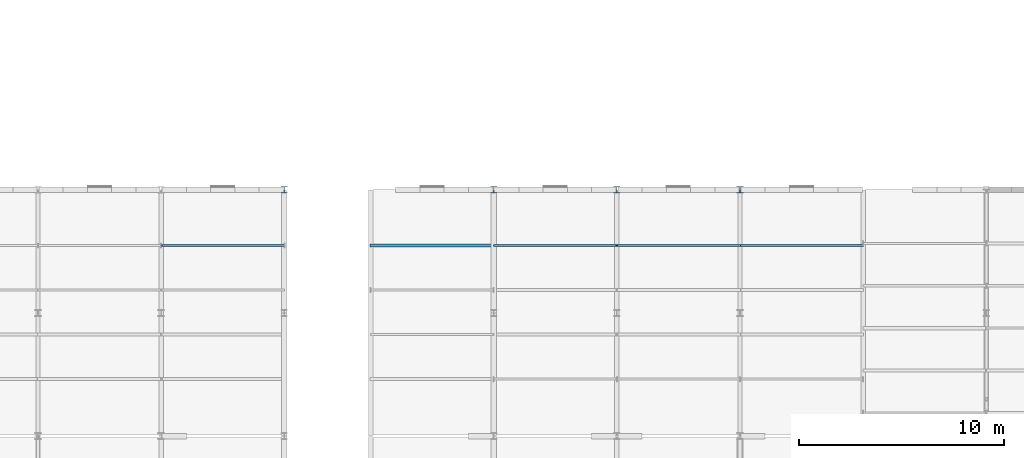
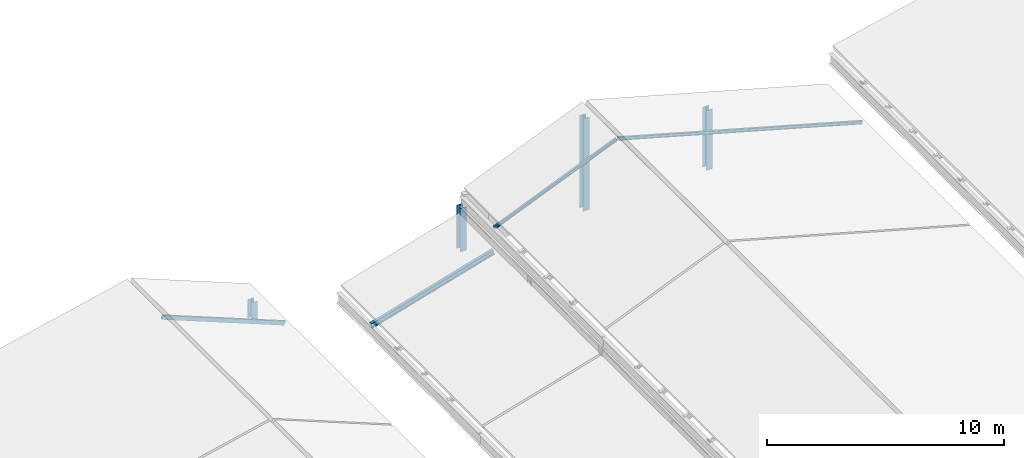
# One storey, part 8 of 74: 9 members.
"""IFC4 building model written with IfcOpenShell, lengths in metres."""

from ifc_helpers import new_model, si_unit, direction, frame, origin, origin_2d, place, context, subcontext, project, spatial, hollow_rectangle, i_section, extrude, material, material_profile, profile_set, type_object, element, save


model = new_model("IFC4")

# Units and contexts
model_context = context("Model", 3, precision=1e-05, world=origin(), true_north=direction((0.0, 1.0)))
body_context = subcontext(model_context, "Body", "Model", "MODEL_VIEW")
ifc_project = project(units=[si_unit("LENGTHUNIT", "METRE"), si_unit("AREAUNIT", "SQUARE_METRE"), si_unit("VOLUMEUNIT", "CUBIC_METRE"), si_unit("PLANEANGLEUNIT", "RADIAN"), si_unit("MASSUNIT", "GRAM", prefix="KILO")], contexts=[model_context])

# Site, building, storey
site_placement = place(None, origin())
site = spatial("IfcSite", under=ifc_project, at=site_placement, CompositionType="ELEMENT")
building_placement = place(site_placement, origin())
building = spatial("IfcBuilding", under=site, at=building_placement, Name="Siltcreek Boulevard Central Fire Station", CompositionType="ELEMENT")
storey_placement = place(building_placement, frame((0.0, 0.0, 25.199951171875)))
storey = spatial("IfcBuildingStorey", under=building, at=storey_placement, Name="RF", CompositionType="ELEMENT", Elevation=25.199951171875)

# Members
ifc_material_1 = material(Name="Structural steel ASTM A992 Gr50", Category="steel")
ifc_material_profile_1 = material_profile(ifc_material_1, i_section(OverallWidth=0.304931640625, OverallDepth=0.30810546875, WebThickness=0.010009765625, FlangeThickness=0.015380859375, at=origin_2d()), Name="W310X97")
ifc_profile_set_1 = profile_set([ifc_material_profile_1], Name="Structural steel ASTM A992 Gr50")
member_type_1 = type_object("IfcMemberType", Name="CH_W310X97", PredefinedType="CHORD", material=ifc_profile_set_1)
member_1_placement = place(storey_placement, frame((37.800048828125, 54.0, -15.199951171875), z_axis=(0.0, 0.0, 1.0), x_axis=(1.0, 0.0, 0.0)))
element("IfcMember", 1, at=member_1_placement, inside=storey, type_object=member_type_1, Name="Roof bearing truss post 0688", PredefinedType="CHORD", context=body_context, shape_type="SweptSolid", body=[
    extrude(i_section(OverallWidth=0.304931640625, OverallDepth=0.30810546875, WebThickness=0.010009765625, FlangeThickness=0.015380859375, at=origin_2d()), origin(), (0.0, 0.0, 1.0), 0.94921875),
])
member_2_placement = place(storey_placement, frame((48.0, 54.0, -15.199951171875), z_axis=(0.0, 0.0, 1.0), x_axis=(1.0, 0.0, 0.0)))
element("IfcMember", 2, at=member_2_placement, inside=storey, type_object=member_type_1, Name="Roof bearing truss post 0697", PredefinedType="CHORD", context=body_context, shape_type="SweptSolid", body=[
    extrude(i_section(OverallWidth=0.304931640625, OverallDepth=0.30810546875, WebThickness=0.010009765625, FlangeThickness=0.015380859375, at=origin_2d()), origin(), (0.0, 0.0, 1.0), 2.24560546875),
])
member_3_placement = place(storey_placement, frame((54.0, 54.0, -15.199951171875), z_axis=(0.0, 0.0, 1.0), x_axis=(1.0, 0.0, 0.0)))
element("IfcMember", 3, at=member_3_placement, inside=storey, type_object=member_type_1, Name="Roof bearing truss post 0706", PredefinedType="CHORD", context=body_context, shape_type="SweptSolid", body=[
    extrude(i_section(OverallWidth=0.304931640625, OverallDepth=0.30810546875, WebThickness=0.010009765625, FlangeThickness=0.015380859375, at=origin_2d()), origin(), (0.0, 0.0, 1.0), 4.773193359375),
])
member_4_placement = place(storey_placement, frame((60.0, 54.0, -15.199951171875), z_axis=(0.0, 0.0, 1.0), x_axis=(1.0, 0.0, 0.0)))
element("IfcMember", 4, at=member_4_placement, inside=storey, type_object=member_type_1, Name="Roof bearing truss post 0715", PredefinedType="CHORD", context=body_context, shape_type="SweptSolid", body=[
    extrude(i_section(OverallWidth=0.304931640625, OverallDepth=0.30810546875, WebThickness=0.010009765625, FlangeThickness=0.015380859375, at=origin_2d()), origin(), (0.0, 0.0, 1.0), 3.09814453125),
])
ifc_material_2 = material(Name="Structural steel ASTM A500 GrC", Category="steel")
ifc_material_profile_2 = material_profile(ifc_material_2, hollow_rectangle(XDim=0.10009765625, YDim=0.199951171875, WallThickness=0.00634765625, at=origin_2d()), Name="HSS200X100X6.4")
ifc_profile_set_2 = profile_set([ifc_material_profile_2], Name="Structural steel ASTM A500 GrC")
member_type_2 = type_object("IfcMemberType", Name="PR_HSS200X100", PredefinedType="PURLIN", material=ifc_profile_set_2)
member_5_placement = place(storey_placement, frame((31.81005859375, 51.281982421875, -11.373291015625), z_axis=(0.928471462369, 0.0, -0.371403747379), x_axis=(0.0, 1.0, 0.0)))
element("IfcMember", 5, at=member_5_placement, inside=storey, type_object=member_type_2, Name="Sloped roof purlin PR-0267", PredefinedType="PURLIN", context=body_context, shape_type="SweptSolid", body=[
    extrude(hollow_rectangle(XDim=0.10009765625, YDim=0.199951171875, WallThickness=0.00634765625, at=origin_2d()), origin(), (0.0, 0.0, 1.0), 6.440673828125),
])
ifc_material_profile_3 = material_profile(ifc_material_1, i_section(OverallWidth=0.10205078125, OverallDepth=0.159912109375, WebThickness=0.006591796875, FlangeThickness=0.01025390625, at=origin_2d()), Name="W150X24")
ifc_profile_set_3 = profile_set([ifc_material_profile_3], Name="Structural steel ASTM A992 Gr50")
member_type_3 = type_object("IfcMemberType", Name="PR_W150X24", PredefinedType="PURLIN", material=ifc_profile_set_3)
member_6_placement = place(storey_placement, frame((48.010009765625, 51.281982421875, -12.445556640625), z_axis=(0.923074693136, 0.0, 0.384620736431), x_axis=(0.0, 1.0, 0.0)))
element("IfcMember", 6, at=member_6_placement, inside=storey, type_object=member_type_3, Name="Sloped roof purlin PR-0066", PredefinedType="PURLIN", context=body_context, shape_type="SweptSolid", body=[
    extrude(i_section(OverallWidth=0.10205078125, OverallDepth=0.159912109375, WebThickness=0.006591796875, FlangeThickness=0.01025390625, at=origin_2d()), origin(), (0.0, 0.0, 1.0), 6.478271484375),
])
for number, where, z_axis, x_axis, name in (
    (7, (54.010009765625, 51.281982421875, -9.9384765625), (0.963171200032, 0.0, -0.268888897927), (0.0, 1.0, 0.0), "Sloped roof purlin PR-0070"),
    (8, (60.010009765625, 51.281982421875, -11.613525390625), (0.963171200032, 0.0, -0.268888897927), (0.0, 1.0, 0.0), "Sloped roof purlin PR-0074"),
):
    element("IfcMember", number, at=place(storey_placement, frame(where, z_axis=z_axis, x_axis=x_axis)), inside=storey, type_object=member_type_3, Name=name, PredefinedType="PURLIN", context=body_context, shape_type="SweptSolid", body=[
        extrude(i_section(OverallWidth=0.10205078125, OverallDepth=0.159912109375, WebThickness=0.006591796875, FlangeThickness=0.01025390625, at=origin_2d()), origin(), (0.0, 0.0, 1.0), 6.208740234375),
    ])
ifc_material_profile_4 = material_profile(ifc_material_1, i_section(OverallWidth=0.14697265625, OverallDepth=0.261962890625, WebThickness=0.006591796875, FlangeThickness=0.01123046875, at=origin_2d()), Name="W250X39")
ifc_profile_set_4 = profile_set([ifc_material_profile_4], Name="Structural steel ASTM A992 Gr50")
member_type_4 = type_object("IfcMemberType", Name="PR_W250X39", PredefinedType="PURLIN", material=ifc_profile_set_4)
member_7_placement = place(storey_placement, frame((42.010009765625, 51.281982421875, -15.386962890625), z_axis=(0.960000877925, 0.0, 0.279996989953), x_axis=(0.0, 1.0, 0.0)))
element("IfcMember", 9, at=member_7_placement, inside=storey, type_object=member_type_4, Name="Sloped roof purlin PR-0020", PredefinedType="PURLIN", context=body_context, shape_type="SweptSolid", body=[
    extrude(i_section(OverallWidth=0.14697265625, OverallDepth=0.261962890625, WebThickness=0.006591796875, FlangeThickness=0.01123046875, at=origin_2d()), origin(), (0.0, 0.0, 1.0), 6.229248046875),
])

save(model, "model.ifc")
